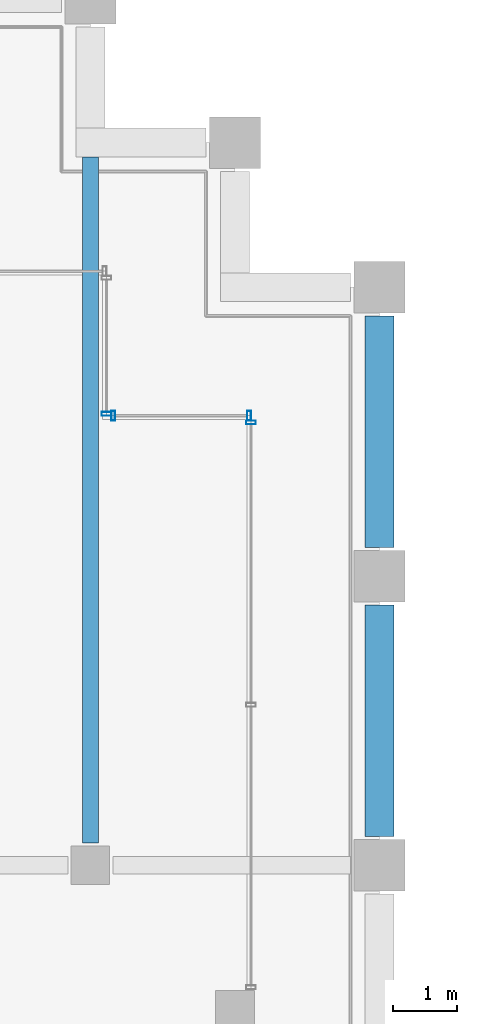
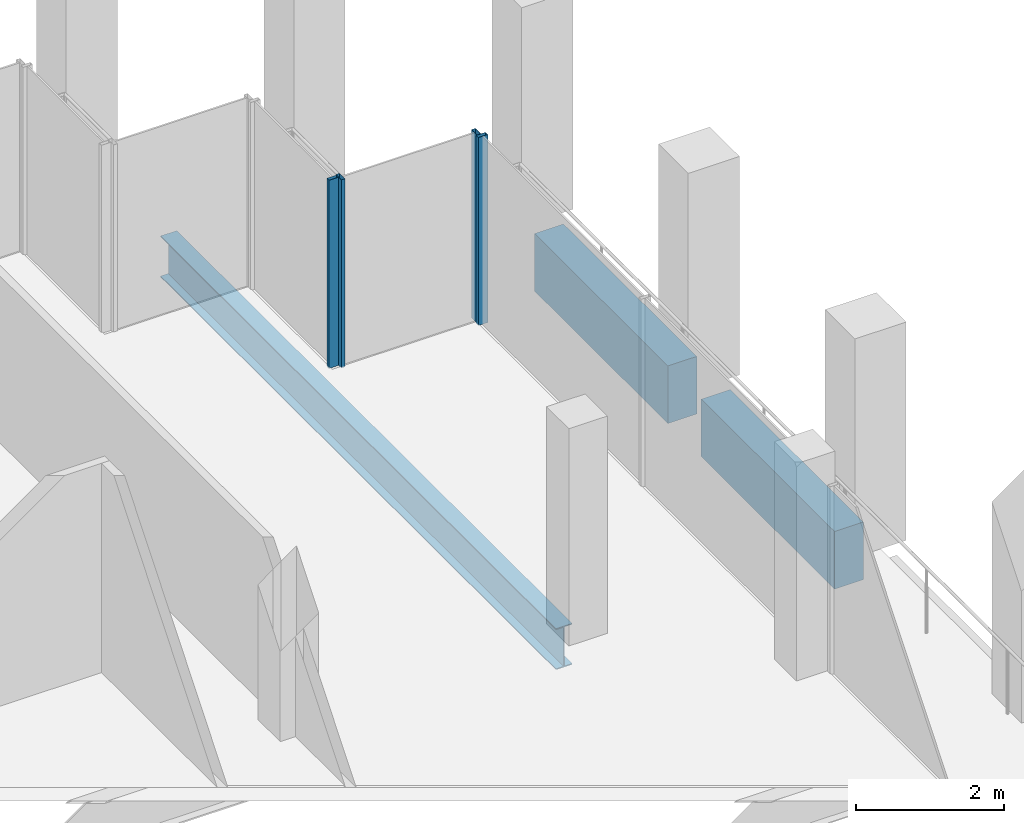
# One storey, part 25 of 40: 4 members, 3 beams, 3 elements without a shape of their own.
"""IFC4 building model written with IfcOpenShell, lengths in metres."""

import ifcopenshell
import ifcopenshell.guid

model = None  # the IFC model being written
_history = None  # IfcOwnerHistory: only IFC2X3 demands one
_inside = {}  # id of a spatial element -> (the spatial element, [elements in it])
_under = {}  # id of a project, library or spatial element -> (it, [spatial elements below it])
_declared = {}  # id of a project -> (the project, [libraries it declares])
_typed = {}  # id of a type object -> (the type object, [elements of that type])
_made_of = {}  # id of a material, layer set ... -> (it, [elements and type objects made of it])


def new_model(schema):
    """Start an empty IFC model of exactly this schema.

    Asked for "IFC4X3", IfcOpenShell would pick the latest addendum, in which some entities
    have other attributes; the version numbers below select the first issue.
    IFC2X3 requires an IfcOwnerHistory on every rooted entity: one is made here for all.
    """
    global model, _history
    if schema == "IFC4X3":
        model = ifcopenshell.file(schema_version=(4, 3, 0, 0))
    else:
        model = ifcopenshell.file(schema=schema)
    _inside.clear()
    _under.clear()
    _declared.clear()
    _typed.clear()
    _made_of.clear()
    _history = None
    if model.schema == "IFC2X3":
        org = make("IfcOrganization", Name="unknown")
        user = make(
            "IfcPersonAndOrganization",
            ThePerson=make("IfcPerson", FamilyName="unknown"),
            TheOrganization=org,
        )
        app = make(
            "IfcApplication",
            ApplicationDeveloper=org,
            Version="unknown",
            ApplicationFullName="unknown",
            ApplicationIdentifier="unknown",
        )
        _history = make(
            "IfcOwnerHistory",
            OwningUser=user,
            OwningApplication=app,
            ChangeAction="ADDED",
            CreationDate=0,
        )
    return model


def make(cls, **values):
    """One entity of the class cls with the attributes given. An attribute that is None is left unset."""
    return model.create_entity(
        cls, **{name: value for name, value in values.items() if value is not None}
    )


def rooted(cls, **values):
    """An entity with a GlobalId (a new one), such as an element, a storey or a relation."""
    return make(cls, GlobalId=ifcopenshell.guid.new(), OwnerHistory=_history, **values)


def si_unit(unit_type, name, prefix=None):
    """IfcSIUnit, for example si_unit("LENGTHUNIT", "METRE", prefix="MILLI")."""
    return make("IfcSIUnit", UnitType=unit_type, Prefix=prefix, Name=name)


def assignment(units):
    """IfcUnitAssignment: the units of a project."""
    return None if units is None else make("IfcUnitAssignment", Units=units)


def point(xyz):
    """IfcCartesianPoint."""
    return None if xyz is None else make("IfcCartesianPoint", Coordinates=xyz)


def direction(xyz):
    """IfcDirection."""
    return None if xyz is None else make("IfcDirection", DirectionRatios=xyz)


def frame(location, z_axis=None, x_axis=None):
    """IfcAxis2Placement3D, a coordinate frame: its origin and axes. An axis left out is left unset."""
    return make(
        "IfcAxis2Placement3D",
        Location=point(location),
        Axis=direction(z_axis),
        RefDirection=direction(x_axis),
    )


def frame_2d(location, x_axis=None):
    """IfcAxis2Placement2D, a coordinate frame in the plane: its origin and x axis."""
    return make(
        "IfcAxis2Placement2D", Location=point(location), RefDirection=direction(x_axis)
    )


def origin():
    """The frame at (0, 0, 0) with its axes left unset."""
    return frame((0.0, 0.0, 0.0))


def origin_2d():
    """The frame at (0, 0) in the plane with its x axis left unset."""
    return frame_2d((0.0, 0.0))


def place(relative_to, where):
    """IfcLocalPlacement: puts the frame where relative to a parent placement (None: the world)."""
    return make(
        "IfcLocalPlacement", PlacementRelTo=relative_to, RelativePlacement=where
    )


def context(
    kind, dimensions, precision=None, world=None, true_north=None, identifier=None
):
    """IfcGeometricRepresentationContext, for example the 3D "Model" context."""
    return make(
        "IfcGeometricRepresentationContext",
        ContextIdentifier=identifier,
        ContextType=kind,
        CoordinateSpaceDimension=dimensions,
        Precision=precision,
        WorldCoordinateSystem=world,
        TrueNorth=true_north,
    )


def subcontext(parent, identifier, kind, view, scale=None):
    """IfcGeometricRepresentationSubContext, for example "Body" below "Model"."""
    return make(
        "IfcGeometricRepresentationSubContext",
        ContextIdentifier=identifier,
        ContextType=kind,
        ParentContext=parent,
        TargetScale=scale,
        TargetView=view,
    )


def project(units=None, contexts=None):
    """IfcProject with its units and contexts."""
    return rooted(
        "IfcProject",
        Name="project",
        RepresentationContexts=contexts,
        UnitsInContext=assignment(units),
    )


def spatial(cls, under=None, at=None, **own):
    """A site, building, storey or space (cls), placed at a placement, below another one or the project."""
    s = rooted(cls, ObjectPlacement=at, **own)
    if under is not None:
        _under.setdefault(under.id(), (under, []))[1].append(s)
    return s


def profile(cls, at=None, kind="AREA", **sizes):
    """A parametric profile (cls). Its sizes go by their IFC names, for example OverallWidth=200.0."""
    return make(cls, ProfileType=kind, Position=at, **sizes)


def rectangle(**sizes):
    """IfcRectangleProfileDef."""
    return profile("IfcRectangleProfileDef", **sizes)


def hollow_rectangle(**sizes):
    """IfcRectangleHollowProfileDef."""
    return profile("IfcRectangleHollowProfileDef", **sizes)


def i_section(**sizes):
    """IfcIShapeProfileDef."""
    return profile("IfcIShapeProfileDef", **sizes)


def extrude(swept, where, along, depth):
    """IfcExtrudedAreaSolid: the profile swept, set in the frame where, extruded along a direction by depth."""
    return make(
        "IfcExtrudedAreaSolid",
        SweptArea=swept,
        Position=where,
        ExtrudedDirection=direction(along),
        Depth=depth,
    )


def shape(context_of_items, identifier, shape_type, items):
    """IfcShapeRepresentation: the items that make up one representation, for example the "Body"."""
    return make(
        "IfcShapeRepresentation",
        ContextOfItems=context_of_items,
        RepresentationIdentifier=identifier,
        RepresentationType=shape_type,
        Items=items,
    )


def material(Name=None, Category=None):
    """IfcMaterial."""
    return make("IfcMaterial", Name=Name, Category=Category)


def material_profile(
    of_material, cross_section, Name=None, Category=None, Priority=None
):
    """IfcMaterialProfile: a cross section and its material."""
    return make(
        "IfcMaterialProfile",
        Name=Name,
        Material=of_material,
        Profile=cross_section,
        Priority=Priority,
        Category=Category,
    )


def profile_set(profiles, Name=None, composite=None):
    """IfcMaterialProfileSet."""
    return make(
        "IfcMaterialProfileSet",
        Name=Name,
        MaterialProfiles=profiles,
        CompositeProfile=composite,
    )


def made_of(thing, what):
    """Note that an element or type object is made of a material, layer set ...; save() writes the relation."""
    if what is not None:
        _made_of.setdefault(what.id(), (what, []))[1].append(thing)
    return thing


def type_object(cls, material=None, **own):
    """A type object (cls), such as IfcWallType, which elements share."""
    return made_of(rooted(cls, **own), material)


def element(
    cls,
    number,
    at=None,
    inside=None,
    cuts=None,
    type_object=None,
    material=None,
    context=None,
    identifier="Body",
    shape_type=None,
    held_by="IfcProductDefinitionShape",
    body=None,
    shapes=None,
    **own,
):
    """One element of the class cls, such as IfcWall. Its Tag is "e" and its number.

    at: its placement. inside: the storey or other place that contains it. cuts: it is an
    opening in that element (IfcRelVoidsElement). A single representation is given by context,
    identifier, shape_type and body (its items); several are given by shapes. held_by: the class
    of the entity that holds the representations. save() writes the other relations.
    """
    e = rooted(cls, Tag="e%d" % number, ObjectPlacement=at, **own)
    if body is not None:
        shapes = [shape(context, identifier, shape_type, body)]
    if shapes is not None:
        e.Representation = make(held_by, Representations=shapes)
    if inside is not None:
        _inside.setdefault(inside.id(), (inside, []))[1].append(e)
    if cuts is not None:
        rooted(
            "IfcRelVoidsElement", RelatingBuildingElement=cuts, RelatedOpeningElement=e
        )
    if type_object is not None:
        _typed.setdefault(type_object.id(), (type_object, []))[1].append(e)
    return made_of(e, material)


def aggregate(whole, parts):
    """IfcRelAggregates: a whole, such as a stair, and the parts it consists of."""
    return rooted("IfcRelAggregates", RelatingObject=whole, RelatedObjects=parts)


def save(model, path):
    """Write the relations noted so far, then the file.

    IfcRelAggregates (storeys below a building ...), IfcRelContainedInSpatialStructure (elements
    in a storey), IfcRelDefinesByType, IfcRelAssociatesMaterial and IfcRelDeclares: one each for
    every whole, place, type object, material and project.
    """
    for whole, parts in _under.values():
        aggregate(whole, parts)
    for where, things in _inside.values():
        rooted(
            "IfcRelContainedInSpatialStructure",
            RelatedElements=things,
            RelatingStructure=where,
        )
    for kind, things in _typed.values():
        rooted("IfcRelDefinesByType", RelatedObjects=things, RelatingType=kind)
    for what, things in _made_of.values():
        rooted("IfcRelAssociatesMaterial", RelatedObjects=things, RelatingMaterial=what)
    for by, libraries in _declared.values():
        rooted("IfcRelDeclares", RelatingContext=by, RelatedDefinitions=libraries)
    model.write(path)


model = new_model("IFC4")

# Units and contexts
model_context = context("Model", 3, precision=1e-05, world=origin(), true_north=direction((0.0, 1.0)))
body_context = subcontext(model_context, "Body", "Model", "MODEL_VIEW")
ifc_project = project(units=[si_unit("LENGTHUNIT", "METRE"), si_unit("AREAUNIT", "SQUARE_METRE"), si_unit("VOLUMEUNIT", "CUBIC_METRE"), si_unit("PLANEANGLEUNIT", "RADIAN"), si_unit("MASSUNIT", "GRAM", prefix="KILO")], contexts=[model_context])

# Site, building, storey
site_placement = place(None, origin())
site = spatial("IfcSite", under=ifc_project, at=site_placement, CompositionType="ELEMENT")
building_placement = place(site_placement, origin())
building = spatial("IfcBuilding", under=site, at=building_placement, Name="Altepetl Exchange Towers", CompositionType="ELEMENT")
storey_placement = place(building_placement, frame((0.0, 0.0, 195.60009765625)))
storey = spatial("IfcBuildingStorey", under=building, at=storey_placement, Name="L49", CompositionType="ELEMENT", Elevation=195.60009765625)

# Beam
ifc_material_1 = material(Name="Steel S355", Category="steel")
ifc_material_profile_1 = material_profile(ifc_material_1, i_section(OverallWidth=0.2529296875, OverallDepth=0.677978515625, WebThickness=0.01171875, FlangeThickness=0.016357421875, at=origin_2d()), Name="W27X84")
ifc_profile_set_1 = profile_set([ifc_material_profile_1], Name="Steel S355")
beam_type_1 = type_object("IfcBeamType", Name="Floor beam W27X84", PredefinedType="BEAM", material=ifc_profile_set_1)
beam_placement = place(storey_placement, frame((67.5, 58.85009765625, -0.489013671875), z_axis=(0.0, 1.0, 0.0), x_axis=(-1.0, 0.0, 0.0)))
element("IfcBeam", 1, at=beam_placement, inside=storey, type_object=beam_type_1, Name="bm:A:L49:005", PredefinedType="BEAM", context=body_context, shape_type="SweptSolid", body=[
    extrude(i_section(OverallWidth=0.2529296875, OverallDepth=0.677978515625, WebThickness=0.01171875, FlangeThickness=0.016357421875, at=origin_2d()), origin(), (0.0, 0.0, 1.0), 10.6748046875),
])

# Curtain wall, member
ifc_material_2 = material(Name="Aluminium 6063-T6 glazing", Category="aluminium")
curtain_wall_type = type_object("IfcCurtainWallType", Name="Loggia glazing system", PredefinedType="NOTDEFINED", material=ifc_material_2)
curtain_wall_1_placement = place(storey_placement, origin())
curtain_wall_1 = element("IfcCurtainWall", 2, at=curtain_wall_1_placement, inside=storey, type_object=curtain_wall_type, Name="CW1 run", PredefinedType="NOTDEFINED")
ifc_material_3 = material(Name="Aluminium 6063-T6", Category="aluminium")
ifc_material_profile_2 = material_profile(ifc_material_3, hollow_rectangle(XDim=0.06005859375, YDim=0.14990234375, WallThickness=0.0029296875, at=origin_2d()), Name="Mullion 60x150 aluminium")
ifc_profile_set_2 = profile_set([ifc_material_profile_2], Name="Aluminium 6063-T6")
member_type = type_object("IfcMemberType", Name="Mullion 60x150 aluminium", PredefinedType="MULLION", material=ifc_profile_set_2)
member_1_placement = place(storey_placement, frame((70.0, 65.39501953125, 0.0), z_axis=(0.0, 0.0, 1.0), x_axis=(0.0, 1.0, 0.0)))
member_1 = element("IfcMember", 3, at=member_1_placement, type_object=member_type, Name="MU1 mullion", PredefinedType="MULLION", context=body_context, shape_type="SweptSolid", body=[
    extrude(hollow_rectangle(XDim=0.06005859375, YDim=0.14990234375, WallThickness=0.0029296875, at=origin_2d()), origin(), (0.0, 0.0, 1.0), 3.099853515625),
])
aggregate(curtain_wall_1, [member_1])

# Curtain wall, members
curtain_wall_2_placement = place(storey_placement, origin())
curtain_wall_2 = element("IfcCurtainWall", 4, at=curtain_wall_2_placement, inside=storey, type_object=curtain_wall_type, Name="CW1 run", PredefinedType="NOTDEFINED")
member_2_placement = place(storey_placement, frame((69.969970703125, 65.5, 0.0), z_axis=(0.0, 0.0, 1.0), x_axis=(-1.0, 0.0, 0.0)))
member_2 = element("IfcMember", 5, at=member_2_placement, type_object=member_type, Name="MU1 mullion", PredefinedType="MULLION", context=body_context, shape_type="SweptSolid", body=[
    extrude(hollow_rectangle(XDim=0.06005859375, YDim=0.14990234375, WallThickness=0.0029296875, at=origin_2d()), origin(), (0.0, 0.0, 1.0), 3.099853515625),
])
member_3_placement = place(storey_placement, frame((67.85498046875, 65.5, 0.0), z_axis=(0.0, 0.0, 1.0), x_axis=(-1.0, 0.0, 0.0)))
member_3 = element("IfcMember", 6, at=member_3_placement, type_object=member_type, Name="MU1 mullion", PredefinedType="MULLION", context=body_context, shape_type="SweptSolid", body=[
    extrude(hollow_rectangle(XDim=0.06005859375, YDim=0.14990234375, WallThickness=0.0029296875, at=origin_2d()), origin(), (0.0, 0.0, 1.0), 3.099853515625),
])
aggregate(curtain_wall_2, [member_2, member_3])

# Curtain wall, member
curtain_wall_3_placement = place(storey_placement, origin())
curtain_wall_3 = element("IfcCurtainWall", 7, at=curtain_wall_3_placement, inside=storey, type_object=curtain_wall_type, Name="CW1 run", PredefinedType="NOTDEFINED")
member_4_placement = place(storey_placement, frame((67.75, 65.530029296875, 0.0), z_axis=(0.0, 0.0, 1.0), x_axis=(0.0, 1.0, 0.0)))
member_4 = element("IfcMember", 8, at=member_4_placement, type_object=member_type, Name="MU1 mullion", PredefinedType="MULLION", context=body_context, shape_type="SweptSolid", body=[
    extrude(hollow_rectangle(XDim=0.06005859375, YDim=0.14990234375, WallThickness=0.0029296875, at=origin_2d()), origin(), (0.0, 0.0, 1.0), 3.099853515625),
])
aggregate(curtain_wall_3, [member_4])

# Beams
ifc_material_4 = material(Name="Concrete C50/60 precast with cantera rosa facing", Category="concrete")
ifc_material_profile_3 = material_profile(ifc_material_4, rectangle(XDim=0.449951171875, YDim=0.949951171875, at=origin_2d()), Name="450 x 950")
ifc_profile_set_3 = profile_set([ifc_material_profile_3], Name="Concrete C50/60 precast with cantera rosa facing")
beam_type_2 = type_object("IfcBeamType", Name="Spandrel beam 450x950 cantera rosa", PredefinedType="SPANDREL", material=ifc_profile_set_3)
for number, where, z_axis, x_axis, name in (
    (9, (72.0, 58.949951171875, -0.625), (0.0, 1.0, 0.0), (-1.0, 0.0, 0.0), "sp:A:L49:018"),
    (10, (72.0, 63.449951171875, -0.625), (0.0, 1.0, 0.0), (-1.0, 0.0, 0.0), "sp:A:L49:019"),
):
    element("IfcBeam", number, at=place(storey_placement, frame(where, z_axis=z_axis, x_axis=x_axis)), inside=storey, type_object=beam_type_2, Name=name, PredefinedType="SPANDREL", context=body_context, shape_type="SweptSolid", body=[
        extrude(rectangle(XDim=0.449951171875, YDim=0.949951171875, at=origin_2d()), origin(), (0.0, 0.0, 1.0), 3.60009765625),
    ])

save(model, "model.ifc")
